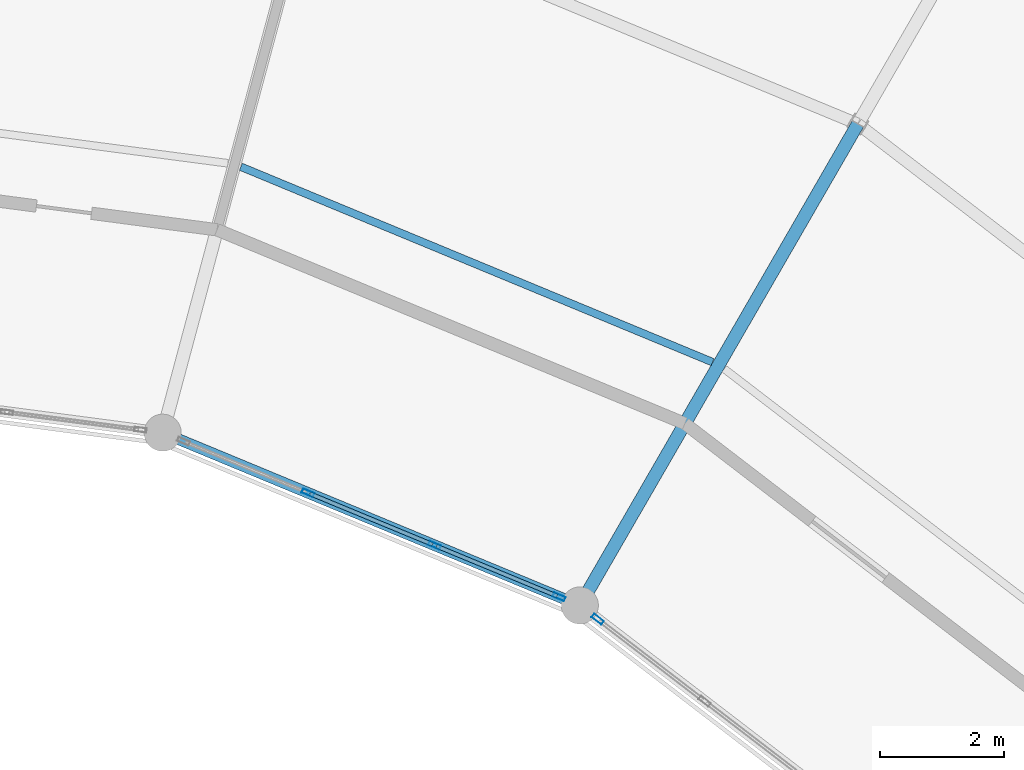
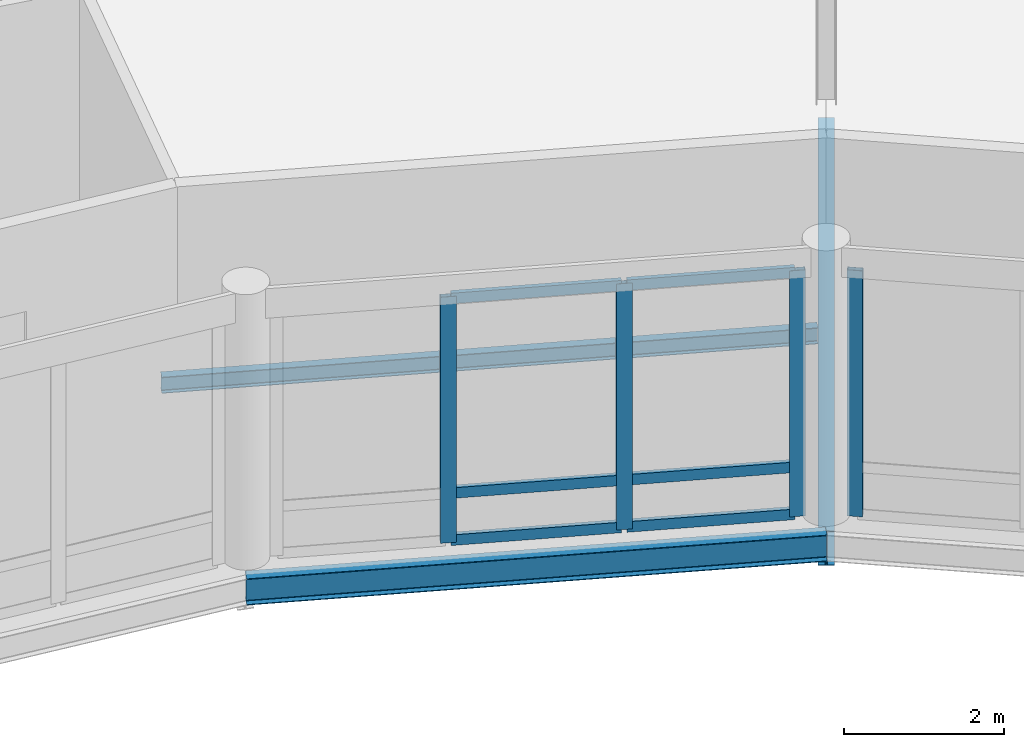
# One storey, part 91 of 185: 10 members, 3 beams, 2 elements without a shape of their own.
"""IFC4 building model written with IfcOpenShell, lengths in metres."""

from ifc_helpers import new_model, si_unit, direction, frame, origin, origin_2d, place, context, subcontext, project, spatial, hollow_rectangle, i_section, extrude, material, material_profile, profile_set, type_object, element, aggregate, save


model = new_model("IFC4")

# Units and contexts
model_context = context("Model", 3, precision=1e-05, world=origin(), true_north=direction((0.0, 1.0)))
body_context = subcontext(model_context, "Body", "Model", "MODEL_VIEW")
ifc_project = project(units=[si_unit("LENGTHUNIT", "METRE"), si_unit("AREAUNIT", "SQUARE_METRE"), si_unit("VOLUMEUNIT", "CUBIC_METRE"), si_unit("PLANEANGLEUNIT", "RADIAN"), si_unit("MASSUNIT", "GRAM", prefix="KILO")], contexts=[model_context])

# Site, building, storey
site_placement = place(None, origin())
site = spatial("IfcSite", under=ifc_project, at=site_placement, CompositionType="ELEMENT")
building_placement = place(site_placement, origin())
building = spatial("IfcBuilding", under=site, at=building_placement, Name="Vondelvale Polytechnic", CompositionType="ELEMENT")
storey_placement = place(building_placement, frame((0.0, 0.0, 9.60009765625)))
storey = spatial("IfcBuildingStorey", under=building, at=storey_placement, Name="L02", CompositionType="ELEMENT", Elevation=9.60009765625)

# Beams
ifc_material_1 = material(Name="Steel 300PLUS (fy = 300 MPa)", Category="steel")
ifc_material_profile_1 = material_profile(ifc_material_1, i_section(OverallWidth=0.177978515625, OverallDepth=0.403076171875, WebThickness=0.007568359375, FlangeThickness=0.010986328125, FilletRadius=0.011474609375, at=origin_2d()), Name="410UB53.7")
ifc_profile_set_1 = profile_set([ifc_material_profile_1], Name="Steel 300PLUS (fy = 300 MPa)")
beam_type_1 = type_object("IfcBeamType", Name="BM-UB410L", PredefinedType="BEAM", material=ifc_profile_set_1)
beam_1_placement = place(storey_placement, frame((116.0, 96.248779296875, -0.481689453125), z_axis=(-0.923886161226, 0.382667428841, 0.0), x_axis=(-0.382667428841, -0.923886161226, 0.0)))
element("IfcBeam", 1, at=beam_1_placement, inside=storey, type_object=beam_type_1, Name="L02 RB B-23", PredefinedType="BEAM", context=body_context, shape_type="SweptSolid", body=[
    extrude(i_section(OverallWidth=0.177978515625, OverallDepth=0.403076171875, WebThickness=0.007568359375, FlangeThickness=0.010986328125, FilletRadius=0.011474609375, at=origin_2d()), origin(), (0.0, 0.0, 1.0), 7.3095703125),
])
ifc_material_profile_2 = material_profile(ifc_material_1, i_section(OverallWidth=0.208984375, OverallDepth=0.528076171875, WebThickness=0.009521484375, FlangeThickness=0.01318359375, FilletRadius=0.013916015625, at=origin_2d()), Name="530UB82.0")
ifc_profile_set_2 = profile_set([ifc_material_profile_2], Name="Steel 300PLUS (fy = 300 MPa)")
beam_type_2 = type_object("IfcBeamType", Name="BM-UB530L", PredefinedType="BEAM", material=ifc_profile_set_2)
beam_2_placement = place(storey_placement, frame((116.0, 96.248779296875, -0.544189453125), z_axis=(0.5000018851, 0.866024315419, 0.0), x_axis=(-0.866024315419, 0.5000018851, 0.0)))
element("IfcBeam", 2, at=beam_2_placement, inside=storey, type_object=beam_type_2, Name="L02 RG B-21", PredefinedType="BEAM", context=body_context, shape_type="SweptSolid", body=[
    extrude(i_section(OverallWidth=0.208984375, OverallDepth=0.528076171875, WebThickness=0.009521484375, FlangeThickness=0.01318359375, FilletRadius=0.013916015625, at=origin_2d()), origin(), (0.0, 0.0, 1.0), 9.0),
])

# Curtain wall, member
ifc_material_2 = material(Name="Anodised extruded aluminium 6063-T6", Category="aluminium")
curtain_wall_type = type_object("IfcCurtainWallType", Name="CW-RING-CLOISTER", PredefinedType="NOTDEFINED", material=ifc_material_2)
curtain_wall_1_placement = place(storey_placement, origin())
curtain_wall_1 = element("IfcCurtainWall", 3, at=curtain_wall_1_placement, inside=storey, type_object=curtain_wall_type, Name="L02 architectural curtain wall CW-03-104", PredefinedType="NOTDEFINED")
ifc_material_profile_3 = material_profile(ifc_material_2, hollow_rectangle(XDim=0.070068359375, YDim=0.199951171875, WallThickness=0.00390625, at=origin_2d()), Name="CW-MUL-200x70")
ifc_profile_set_3 = profile_set([ifc_material_profile_3], Name="Anodised extruded aluminium 6063-T6")
member_type_1 = type_object("IfcMemberType", Name="CW-MUL-70x200", PredefinedType="MULLION", material=ifc_profile_set_3)
member_1_placement = place(storey_placement, frame((116.28857421875, 96.02734375, 0.0), z_axis=(0.0, 0.0, 1.0), x_axis=(-0.608747717793, -0.793363861089, 0.0)))
member_1 = element("IfcMember", 4, at=member_1_placement, type_object=member_type_1, Name="CW-03-104 mullion 4", PredefinedType="MULLION", context=body_context, shape_type="SweptSolid", body=[
    extrude(hollow_rectangle(XDim=0.070068359375, YDim=0.199951171875, WallThickness=0.00390625, at=origin_2d()), origin(), (0.0, 0.0, 1.0), 3.75),
])
aggregate(curtain_wall_1, [member_1])

# Curtain wall, members
curtain_wall_2_placement = place(storey_placement, origin())
curtain_wall_2 = element("IfcCurtainWall", 5, at=curtain_wall_2_placement, inside=storey, type_object=curtain_wall_type, Name="L02 architectural curtain wall CW-03-119", PredefinedType="NOTDEFINED")
member_2_placement = place(storey_placement, frame((115.662841796875, 96.388427734375, 0.0), z_axis=(0.0, 0.0, 1.0), x_axis=(-0.382678531697, -0.923881562419, 0.0)))
member_2 = element("IfcMember", 6, at=member_2_placement, type_object=member_type_1, Name="CW-03-119 mullion 1", PredefinedType="MULLION", context=body_context, shape_type="SweptSolid", body=[
    extrude(hollow_rectangle(XDim=0.070068359375, YDim=0.199951171875, WallThickness=0.00390625, at=origin_2d()), origin(), (0.0, 0.0, 1.0), 3.75),
])
member_3_placement = place(storey_placement, frame((113.647216796875, 97.22314453125, 0.0), z_axis=(0.0, 0.0, 1.0), x_axis=(-0.382678531697, -0.923881562419, 0.0)))
member_3 = element("IfcMember", 7, at=member_3_placement, type_object=member_type_1, Name="CW-03-119 mullion 2", PredefinedType="MULLION", context=body_context, shape_type="SweptSolid", body=[
    extrude(hollow_rectangle(XDim=0.070068359375, YDim=0.199951171875, WallThickness=0.00390625, at=origin_2d()), origin(), (0.0, 0.0, 1.0), 3.75),
])
member_4_placement = place(storey_placement, frame((111.599609375, 98.0712890625, 0.0), z_axis=(0.0, 0.0, 1.0), x_axis=(-0.382678531697, -0.923881562419, 0.0)))
member_4 = element("IfcMember", 8, at=member_4_placement, type_object=member_type_1, Name="CW-03-119 mullion 3", PredefinedType="MULLION", context=body_context, shape_type="SweptSolid", body=[
    extrude(hollow_rectangle(XDim=0.070068359375, YDim=0.199951171875, WallThickness=0.00390625, at=origin_2d()), origin(), (0.0, 0.0, 1.0), 3.75),
])
ifc_material_profile_4 = material_profile(ifc_material_2, hollow_rectangle(XDim=0.06494140625, YDim=0.159912109375, WallThickness=0.00341796875, at=origin_2d()), Name="CW-TRN-160x65")
ifc_profile_set_4 = profile_set([ifc_material_profile_4], Name="Anodised extruded aluminium 6063-T6")
member_type_2 = type_object("IfcMemberType", Name="CW-TRN-70x160", PredefinedType="USERDEFINED", material=ifc_profile_set_4)
member_5_placement = place(storey_placement, frame((115.63037109375, 96.40185546875, 0.032470703125), z_axis=(-0.923902685011, 0.382627532503, 0.0), x_axis=(-0.382627532503, -0.923902685011, 0.0)))
member_5 = element("IfcMember", 9, at=member_5_placement, type_object=member_type_2, Name="CW-03-119 transom 1.1", ObjectType="TRANSOM", PredefinedType="USERDEFINED", context=body_context, shape_type="SweptSolid", body=[
    extrude(hollow_rectangle(XDim=0.06494140625, YDim=0.159912109375, WallThickness=0.00341796875, at=origin_2d()), origin(), (0.0, 0.0, 1.0), 2.111328125),
])
member_6_placement = place(storey_placement, frame((115.63037109375, 96.40185546875, 0.75), z_axis=(-0.923902685011, 0.382627532503, 0.0), x_axis=(-0.382627532503, -0.923902685011, 0.0)))
member_6 = element("IfcMember", 10, at=member_6_placement, type_object=member_type_2, Name="CW-03-119 transom 1.2", ObjectType="TRANSOM", PredefinedType="USERDEFINED", context=body_context, shape_type="SweptSolid", body=[
    extrude(hollow_rectangle(XDim=0.06494140625, YDim=0.159912109375, WallThickness=0.00341796875, at=origin_2d()), origin(), (0.0, 0.0, 1.0), 2.111328125),
])
member_7_placement = place(storey_placement, frame((115.63037109375, 96.40185546875, 3.71728515625), z_axis=(-0.923902685011, 0.382627532503, 0.0), x_axis=(-0.382627532503, -0.923902685011, 0.0)))
member_7 = element("IfcMember", 11, at=member_7_placement, type_object=member_type_2, Name="CW-03-119 transom 1.3", ObjectType="TRANSOM", PredefinedType="USERDEFINED", context=body_context, shape_type="SweptSolid", body=[
    extrude(hollow_rectangle(XDim=0.06494140625, YDim=0.159912109375, WallThickness=0.00341796875, at=origin_2d()), origin(), (0.0, 0.0, 1.0), 2.111328125),
])
member_8_placement = place(storey_placement, frame((113.614990234375, 97.236572265625, 0.032470703125), z_axis=(-0.923865730094, 0.382716752649, 0.0), x_axis=(-0.382716752649, -0.923865730094, 0.0)))
member_8 = element("IfcMember", 12, at=member_8_placement, type_object=member_type_2, Name="CW-03-119 transom 2.1", ObjectType="TRANSOM", PredefinedType="USERDEFINED", context=body_context, shape_type="SweptSolid", body=[
    extrude(hollow_rectangle(XDim=0.06494140625, YDim=0.159912109375, WallThickness=0.00341796875, at=origin_2d()), origin(), (0.0, 0.0, 1.0), 2.146484375),
])
member_9_placement = place(storey_placement, frame((113.614990234375, 97.236572265625, 0.75), z_axis=(-0.923865730094, 0.382716752649, 0.0), x_axis=(-0.382716752649, -0.923865730094, 0.0)))
member_9 = element("IfcMember", 13, at=member_9_placement, type_object=member_type_2, Name="CW-03-119 transom 2.2", ObjectType="TRANSOM", PredefinedType="USERDEFINED", context=body_context, shape_type="SweptSolid", body=[
    extrude(hollow_rectangle(XDim=0.06494140625, YDim=0.159912109375, WallThickness=0.00341796875, at=origin_2d()), origin(), (0.0, 0.0, 1.0), 2.146484375),
])
member_10_placement = place(storey_placement, frame((113.614990234375, 97.236572265625, 3.71728515625), z_axis=(-0.923865730094, 0.382716752649, 0.0), x_axis=(-0.382716752649, -0.923865730094, 0.0)))
member_10 = element("IfcMember", 14, at=member_10_placement, type_object=member_type_2, Name="CW-03-119 transom 2.3", ObjectType="TRANSOM", PredefinedType="USERDEFINED", context=body_context, shape_type="SweptSolid", body=[
    extrude(hollow_rectangle(XDim=0.06494140625, YDim=0.159912109375, WallThickness=0.00341796875, at=origin_2d()), origin(), (0.0, 0.0, 1.0), 2.146484375),
])
aggregate(curtain_wall_2, [member_2, member_3, member_4, member_5, member_6, member_7, member_8, member_9, member_10])

# Beam
ifc_material_profile_5 = material_profile(ifc_material_1, i_section(OverallWidth=0.1240234375, OverallDepth=0.248046875, WebThickness=0.0048828125, FlangeThickness=0.008056640625, FilletRadius=0.0087890625, at=origin_2d()), Name="250UB25.7")
ifc_profile_set_5 = profile_set([ifc_material_profile_5], Name="Steel 300PLUS (fy = 300 MPa)")
beam_type_3 = type_object("IfcBeamType", Name="JST-UB250L", PredefinedType="JOIST", material=ifc_profile_set_5)
beam_3_placement = place(storey_placement, frame((118.1484375, 100.18798828125, -0.404052734375), z_axis=(-0.923880733098, 0.38268053388, 0.0), x_axis=(-0.38268053388, -0.923880733098, 0.0)))
element("IfcBeam", 15, at=beam_3_placement, inside=storey, type_object=beam_type_3, Name="L02 RJ J-08", PredefinedType="JOIST", context=body_context, shape_type="SweptSolid", body=[
    extrude(i_section(OverallWidth=0.1240234375, OverallDepth=0.248046875, WebThickness=0.0048828125, FlangeThickness=0.008056640625, FilletRadius=0.0087890625, at=origin_2d()), origin(), (0.0, 0.0, 1.0), 8.264404296875),
])

save(model, "model.ifc")
